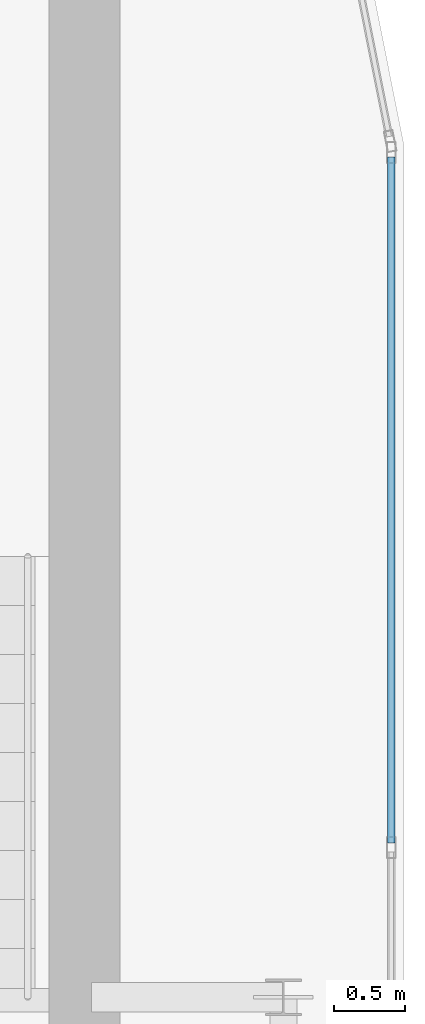
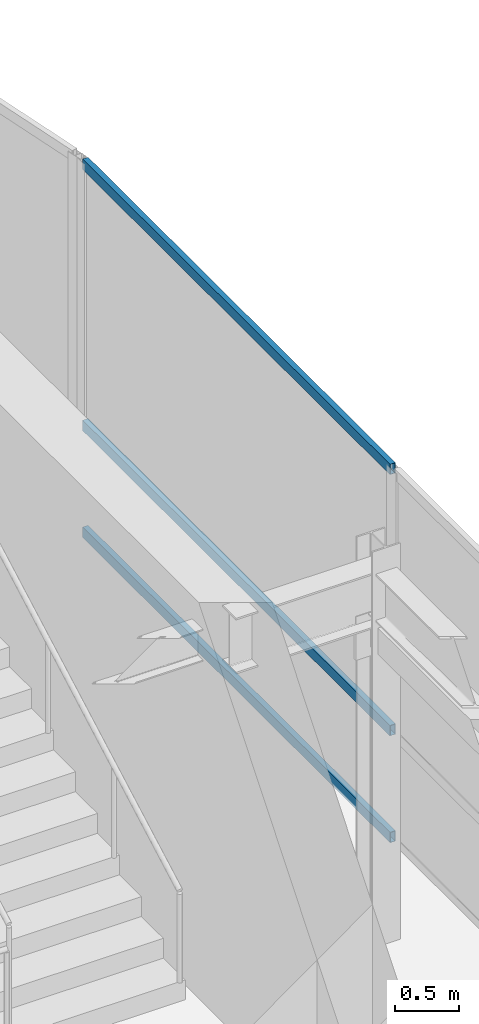
# One storey, part 25 of 36: 3 members, 1 element without a shape of its own.
"""IFC4 building model written with IfcOpenShell, lengths in metres."""

import ifcopenshell
import ifcopenshell.guid

model = None  # the IFC model being written
_history = None  # IfcOwnerHistory: only IFC2X3 demands one
_inside = {}  # id of a spatial element -> (the spatial element, [elements in it])
_under = {}  # id of a project, library or spatial element -> (it, [spatial elements below it])
_declared = {}  # id of a project -> (the project, [libraries it declares])
_typed = {}  # id of a type object -> (the type object, [elements of that type])
_made_of = {}  # id of a material, layer set ... -> (it, [elements and type objects made of it])


def new_model(schema):
    """Start an empty IFC model of exactly this schema.

    Asked for "IFC4X3", IfcOpenShell would pick the latest addendum, in which some entities
    have other attributes; the version numbers below select the first issue.
    IFC2X3 requires an IfcOwnerHistory on every rooted entity: one is made here for all.
    """
    global model, _history
    if schema == "IFC4X3":
        model = ifcopenshell.file(schema_version=(4, 3, 0, 0))
    else:
        model = ifcopenshell.file(schema=schema)
    _inside.clear()
    _under.clear()
    _declared.clear()
    _typed.clear()
    _made_of.clear()
    _history = None
    if model.schema == "IFC2X3":
        org = make("IfcOrganization", Name="unknown")
        user = make(
            "IfcPersonAndOrganization",
            ThePerson=make("IfcPerson", FamilyName="unknown"),
            TheOrganization=org,
        )
        app = make(
            "IfcApplication",
            ApplicationDeveloper=org,
            Version="unknown",
            ApplicationFullName="unknown",
            ApplicationIdentifier="unknown",
        )
        _history = make(
            "IfcOwnerHistory",
            OwningUser=user,
            OwningApplication=app,
            ChangeAction="ADDED",
            CreationDate=0,
        )
    return model


def make(cls, **values):
    """One entity of the class cls with the attributes given. An attribute that is None is left unset."""
    return model.create_entity(
        cls, **{name: value for name, value in values.items() if value is not None}
    )


def rooted(cls, **values):
    """An entity with a GlobalId (a new one), such as an element, a storey or a relation."""
    return make(cls, GlobalId=ifcopenshell.guid.new(), OwnerHistory=_history, **values)


def si_unit(unit_type, name, prefix=None):
    """IfcSIUnit, for example si_unit("LENGTHUNIT", "METRE", prefix="MILLI")."""
    return make("IfcSIUnit", UnitType=unit_type, Prefix=prefix, Name=name)


def assignment(units):
    """IfcUnitAssignment: the units of a project."""
    return None if units is None else make("IfcUnitAssignment", Units=units)


def point(xyz):
    """IfcCartesianPoint."""
    return None if xyz is None else make("IfcCartesianPoint", Coordinates=xyz)


def direction(xyz):
    """IfcDirection."""
    return None if xyz is None else make("IfcDirection", DirectionRatios=xyz)


def frame(location, z_axis=None, x_axis=None):
    """IfcAxis2Placement3D, a coordinate frame: its origin and axes. An axis left out is left unset."""
    return make(
        "IfcAxis2Placement3D",
        Location=point(location),
        Axis=direction(z_axis),
        RefDirection=direction(x_axis),
    )


def frame_2d(location, x_axis=None):
    """IfcAxis2Placement2D, a coordinate frame in the plane: its origin and x axis."""
    return make(
        "IfcAxis2Placement2D", Location=point(location), RefDirection=direction(x_axis)
    )


def origin():
    """The frame at (0, 0, 0) with its axes left unset."""
    return frame((0.0, 0.0, 0.0))


def origin_2d():
    """The frame at (0, 0) in the plane with its x axis left unset."""
    return frame_2d((0.0, 0.0))


def place(relative_to, where):
    """IfcLocalPlacement: puts the frame where relative to a parent placement (None: the world)."""
    return make(
        "IfcLocalPlacement", PlacementRelTo=relative_to, RelativePlacement=where
    )


def context(
    kind, dimensions, precision=None, world=None, true_north=None, identifier=None
):
    """IfcGeometricRepresentationContext, for example the 3D "Model" context."""
    return make(
        "IfcGeometricRepresentationContext",
        ContextIdentifier=identifier,
        ContextType=kind,
        CoordinateSpaceDimension=dimensions,
        Precision=precision,
        WorldCoordinateSystem=world,
        TrueNorth=true_north,
    )


def subcontext(parent, identifier, kind, view, scale=None):
    """IfcGeometricRepresentationSubContext, for example "Body" below "Model"."""
    return make(
        "IfcGeometricRepresentationSubContext",
        ContextIdentifier=identifier,
        ContextType=kind,
        ParentContext=parent,
        TargetScale=scale,
        TargetView=view,
    )


def project(units=None, contexts=None):
    """IfcProject with its units and contexts."""
    return rooted(
        "IfcProject",
        Name="project",
        RepresentationContexts=contexts,
        UnitsInContext=assignment(units),
    )


def spatial(cls, under=None, at=None, **own):
    """A site, building, storey or space (cls), placed at a placement, below another one or the project."""
    s = rooted(cls, ObjectPlacement=at, **own)
    if under is not None:
        _under.setdefault(under.id(), (under, []))[1].append(s)
    return s


def profile(cls, at=None, kind="AREA", **sizes):
    """A parametric profile (cls). Its sizes go by their IFC names, for example OverallWidth=200.0."""
    return make(cls, ProfileType=kind, Position=at, **sizes)


def hollow_rectangle(**sizes):
    """IfcRectangleHollowProfileDef."""
    return profile("IfcRectangleHollowProfileDef", **sizes)


def extrude(swept, where, along, depth):
    """IfcExtrudedAreaSolid: the profile swept, set in the frame where, extruded along a direction by depth."""
    return make(
        "IfcExtrudedAreaSolid",
        SweptArea=swept,
        Position=where,
        ExtrudedDirection=direction(along),
        Depth=depth,
    )


def shape(context_of_items, identifier, shape_type, items):
    """IfcShapeRepresentation: the items that make up one representation, for example the "Body"."""
    return make(
        "IfcShapeRepresentation",
        ContextOfItems=context_of_items,
        RepresentationIdentifier=identifier,
        RepresentationType=shape_type,
        Items=items,
    )


def source(mapping_origin, context_of_items, identifier, shape_type, items):
    """IfcRepresentationMap: a shape defined once, which mapped items show again and again."""
    return make(
        "IfcRepresentationMap",
        MappingOrigin=mapping_origin,
        MappedRepresentation=shape(context_of_items, identifier, shape_type, items),
    )


def transform(
    local_origin,
    x_axis=None,
    y_axis=None,
    z_axis=None,
    scale=None,
    scale2=None,
    scale3=None,
    uniform=True,
):
    """IfcCartesianTransformationOperator3D, or its non-uniform kind. x_axis, y_axis, z_axis: its Axis1, 2, 3."""
    if uniform:
        return make(
            "IfcCartesianTransformationOperator3D",
            Axis1=direction(x_axis),
            Axis2=direction(y_axis),
            LocalOrigin=point(local_origin),
            Scale=scale,
            Axis3=direction(z_axis),
        )
    return make(
        "IfcCartesianTransformationOperator3DnonUniform",
        Axis1=direction(x_axis),
        Axis2=direction(y_axis),
        LocalOrigin=point(local_origin),
        Scale=scale,
        Axis3=direction(z_axis),
        Scale2=scale2,
        Scale3=scale3,
    )


def mapped(mapping_source, mapping_target):
    """IfcMappedItem: shows the shape of a source again, moved by a transform."""
    return make(
        "IfcMappedItem", MappingSource=mapping_source, MappingTarget=mapping_target
    )


def material(Name=None, Category=None):
    """IfcMaterial."""
    return make("IfcMaterial", Name=Name, Category=Category)


def layer(
    of_material, thickness, ventilated=None, Name=None, Category=None, Priority=None
):
    """IfcMaterialLayer: one layer of a wall or slab, of a material (None: an air gap)."""
    return make(
        "IfcMaterialLayer",
        Material=of_material,
        LayerThickness=thickness,
        IsVentilated=ventilated,
        Name=Name,
        Category=Category,
        Priority=Priority,
    )


def layer_set(layers, Name=None):
    """IfcMaterialLayerSet."""
    return make("IfcMaterialLayerSet", MaterialLayers=layers, LayerSetName=Name)


def material_profile(
    of_material, cross_section, Name=None, Category=None, Priority=None
):
    """IfcMaterialProfile: a cross section and its material."""
    return make(
        "IfcMaterialProfile",
        Name=Name,
        Material=of_material,
        Profile=cross_section,
        Priority=Priority,
        Category=Category,
    )


def profile_set(profiles, Name=None, composite=None):
    """IfcMaterialProfileSet."""
    return make(
        "IfcMaterialProfileSet",
        Name=Name,
        MaterialProfiles=profiles,
        CompositeProfile=composite,
    )


def made_of(thing, what):
    """Note that an element or type object is made of a material, layer set ...; save() writes the relation."""
    if what is not None:
        _made_of.setdefault(what.id(), (what, []))[1].append(thing)
    return thing


def type_object(cls, material=None, **own):
    """A type object (cls), such as IfcWallType, which elements share."""
    return made_of(rooted(cls, **own), material)


def type_shapes(of_type, sources):
    """Give a type object the sources (RepresentationMaps) that its elements show as mapped items."""
    of_type.RepresentationMaps = sources


def element(
    cls,
    number,
    at=None,
    inside=None,
    cuts=None,
    type_object=None,
    material=None,
    context=None,
    identifier="Body",
    shape_type=None,
    held_by="IfcProductDefinitionShape",
    body=None,
    shapes=None,
    **own,
):
    """One element of the class cls, such as IfcWall. Its Tag is "e" and its number.

    at: its placement. inside: the storey or other place that contains it. cuts: it is an
    opening in that element (IfcRelVoidsElement). A single representation is given by context,
    identifier, shape_type and body (its items); several are given by shapes. held_by: the class
    of the entity that holds the representations. save() writes the other relations.
    """
    e = rooted(cls, Tag="e%d" % number, ObjectPlacement=at, **own)
    if body is not None:
        shapes = [shape(context, identifier, shape_type, body)]
    if shapes is not None:
        e.Representation = make(held_by, Representations=shapes)
    if inside is not None:
        _inside.setdefault(inside.id(), (inside, []))[1].append(e)
    if cuts is not None:
        rooted(
            "IfcRelVoidsElement", RelatingBuildingElement=cuts, RelatedOpeningElement=e
        )
    if type_object is not None:
        _typed.setdefault(type_object.id(), (type_object, []))[1].append(e)
    return made_of(e, material)


def aggregate(whole, parts):
    """IfcRelAggregates: a whole, such as a stair, and the parts it consists of."""
    return rooted("IfcRelAggregates", RelatingObject=whole, RelatedObjects=parts)


def save(model, path):
    """Write the relations noted so far, then the file.

    IfcRelAggregates (storeys below a building ...), IfcRelContainedInSpatialStructure (elements
    in a storey), IfcRelDefinesByType, IfcRelAssociatesMaterial and IfcRelDeclares: one each for
    every whole, place, type object, material and project.
    """
    for whole, parts in _under.values():
        aggregate(whole, parts)
    for where, things in _inside.values():
        rooted(
            "IfcRelContainedInSpatialStructure",
            RelatedElements=things,
            RelatingStructure=where,
        )
    for kind, things in _typed.values():
        rooted("IfcRelDefinesByType", RelatedObjects=things, RelatingType=kind)
    for what, things in _made_of.values():
        rooted("IfcRelAssociatesMaterial", RelatedObjects=things, RelatingMaterial=what)
    for by, libraries in _declared.values():
        rooted("IfcRelDeclares", RelatingContext=by, RelatedDefinitions=libraries)
    model.write(path)


model = new_model("IFC4")

# Units and contexts
model_context = context("Model", 3, precision=1e-05, world=origin(), true_north=direction((0.0, 1.0)))
body_context = subcontext(model_context, "Body", "Model", "MODEL_VIEW")
ifc_project = project(units=[si_unit("LENGTHUNIT", "METRE"), si_unit("AREAUNIT", "SQUARE_METRE"), si_unit("VOLUMEUNIT", "CUBIC_METRE"), si_unit("PLANEANGLEUNIT", "RADIAN"), si_unit("MASSUNIT", "GRAM", prefix="KILO")], contexts=[model_context])

# Site, building, storey
site_placement = place(None, origin())
site = spatial("IfcSite", under=ifc_project, at=site_placement, CompositionType="ELEMENT")
building_placement = place(site_placement, origin())
building = spatial("IfcBuilding", under=site, at=building_placement, Name="Tolvann Quenvar Hotel", CompositionType="ELEMENT")
storey_placement = place(building_placement, frame((0.0, 0.0, 302.35009765625)))
storey = spatial("IfcBuildingStorey", under=building, at=storey_placement, Name="L80", CompositionType="ELEMENT", Elevation=302.35009765625)

# Curtain wall, members
ifc_material_1 = material(Name="Thermally broken anodised architectural aluminium 6063-T6 and laminated low-E glass", Category="aluminium")
ifc_layer = layer(ifc_material_1, 0.179931640625)
ifc_layer_set = layer_set([ifc_layer], Name="Thermally broken anodised architectural aluminium 6063-T6 and laminated low-E glass")
curtain_wall_type = type_object("IfcCurtainWallType", Name="CW_SYS_LANT_06", PredefinedType="USERDEFINED", material=ifc_layer_set)
curtain_wall_placement = place(storey_placement, origin())
curtain_wall = element("IfcCurtainWall", 1, at=curtain_wall_placement, inside=storey, type_object=curtain_wall_type, Name="Curtain Wall CW-LANT-06 (CWR-L80-E09)", ObjectType="UNITISED CURTAIN WALL", PredefinedType="USERDEFINED")
ifc_material_2 = material(Name="Anodised architectural aluminium 6063-T6 framing", Category="aluminium")
ifc_material_profile = material_profile(ifc_material_2, hollow_rectangle(XDim=0.050048828125, YDim=0.10009765625, WallThickness=0.0029296875, at=origin_2d()), Name="100x50x3RHS")
ifc_profile_set = profile_set([ifc_material_profile], Name="Anodised architectural aluminium 6063-T6 framing")
member_type = type_object("IfcMemberType", Name="CW_TRAN_100x50", PredefinedType="USERDEFINED", material=ifc_profile_set)
shared_shape = source(origin(), body_context, "Body", "SweptSolid", [
    extrude(hollow_rectangle(XDim=0.050048828125, YDim=0.10009765625, WallThickness=0.0029296875, at=origin_2d()), origin(), (0.0, 0.0, 1.0), 4.830078125),
])
type_shapes(member_type, [shared_shape])
member_1_placement = place(storey_placement, frame((37.909912109375, 35.087646484375, 0.02490234375), z_axis=(0.0, 1.0, 0.0), x_axis=(-1.0, 0.0, 0.0)))
member_1 = element("IfcMember", 2, at=member_1_placement, type_object=member_type, Name="CW-LANT-06 transom 6.1", ObjectType="TRANSOM", PredefinedType="USERDEFINED", context=body_context, shape_type="MappedRepresentation", body=[
    mapped(shared_shape, transform((0.0, 0.0, 0.0), x_axis=(1.0, 0.0, 0.0), y_axis=(0.0, 1.0, 0.0), z_axis=(0.0, 0.0, 1.0), scale=1.0)),
])
member_2_placement = place(storey_placement, frame((37.909912109375, 35.087646484375, 1.0498046875), z_axis=(0.0, 1.0, 0.0), x_axis=(-1.0, 0.0, 0.0)))
member_2 = element("IfcMember", 3, at=member_2_placement, type_object=member_type, Name="CW-LANT-06 transom 6.2", ObjectType="TRANSOM", PredefinedType="USERDEFINED", context=body_context, shape_type="MappedRepresentation", body=[
    mapped(shared_shape, transform((0.0, 0.0, 0.0), x_axis=(1.0, 0.0, 0.0), y_axis=(0.0, 1.0, 0.0), z_axis=(0.0, 0.0, 1.0), scale=1.0)),
])
member_3_placement = place(storey_placement, frame((37.909912109375, 35.087646484375, 3.554931640625), z_axis=(0.0, 1.0, 0.0), x_axis=(-1.0, 0.0, 0.0)))
member_3 = element("IfcMember", 4, at=member_3_placement, type_object=member_type, Name="CW-LANT-06 transom 6.3", ObjectType="TRANSOM", PredefinedType="USERDEFINED", context=body_context, shape_type="MappedRepresentation", body=[
    mapped(shared_shape, transform((0.0, 0.0, 0.0), x_axis=(1.0, 0.0, 0.0), y_axis=(0.0, 1.0, 0.0), z_axis=(0.0, 0.0, 1.0), scale=1.0)),
])
aggregate(curtain_wall, [member_1, member_2, member_3])

save(model, "model.ifc")
